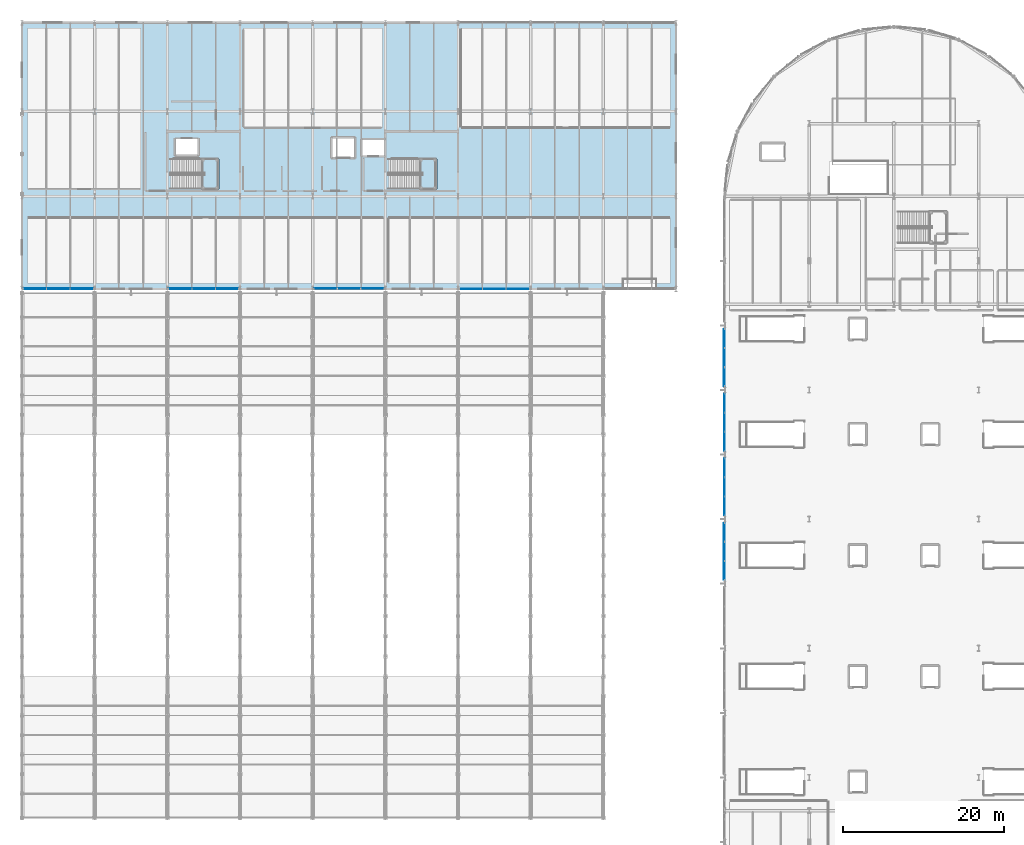
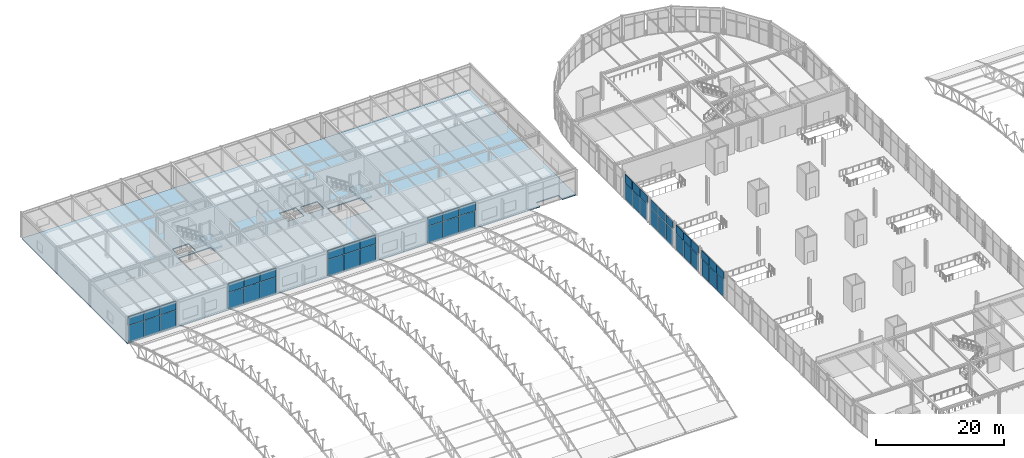
# One storey, part 98 of 195: 48 plates, 3 slabs, 10 elements without a shape of their own.
"""IFC4 building model written with IfcOpenShell, lengths in metres."""

from ifc_helpers import new_model, si_unit, direction, frame, origin, origin_2d, place, context, subcontext, project, spatial, polyline, rectangle, outline, extrude, material, layer, layer_set, type_object, element, aggregate, save


model = new_model("IFC4")

# Units and contexts
model_context = context("Model", 3, precision=1e-05, world=origin(), true_north=direction((0.0, 1.0)))
body_context = subcontext(model_context, "Body", "Model", "MODEL_VIEW")
ifc_project = project(units=[si_unit("LENGTHUNIT", "METRE"), si_unit("AREAUNIT", "SQUARE_METRE"), si_unit("VOLUMEUNIT", "CUBIC_METRE"), si_unit("PLANEANGLEUNIT", "RADIAN"), si_unit("MASSUNIT", "GRAM", prefix="KILO")], contexts=[model_context])

# Site, building, storey
site_placement = place(None, origin())
site = spatial("IfcSite", under=ifc_project, at=site_placement, CompositionType="ELEMENT")
building_placement = place(site_placement, origin())
building = spatial("IfcBuilding", under=site, at=building_placement, Name="Marlcrest Central Station", CompositionType="ELEMENT")
storey_placement = place(building_placement, frame((0.0, 0.0, 9.800048828125)))
storey = spatial("IfcBuildingStorey", under=building, at=storey_placement, Name="L02", CompositionType="ELEMENT", Elevation=9.800048828125)

# Curtain wall, plates
ifc_material_1 = material(Name="Anodised aluminium and hurricane laminated glass", Category="aluminium")
ifc_layer_1 = layer(ifc_material_1, 0.219970703125, Name="CW-U1")
ifc_layer_set_1 = layer_set([ifc_layer_1], Name="Anodised aluminium and hurricane laminated glass")
curtain_wall_type = type_object("IfcCurtainWallType", Name="CW-U1", PredefinedType="USERDEFINED", material=ifc_layer_set_1)
curtain_wall_1_placement = place(storey_placement, origin())
curtain_wall_1 = element("IfcCurtainWall", 1, at=curtain_wall_1_placement, inside=storey, type_object=curtain_wall_type, Name="cw-L02-0119", ObjectType="UNITISED_CURTAIN_WALL", PredefinedType="USERDEFINED")
ifc_material_2 = material(Name="Hurricane laminated solar-control glass", Category="glass")
ifc_layer_2 = layer(ifc_material_2, 0.031982421875, Name="CP-01")
ifc_layer_set_2 = layer_set([ifc_layer_2], Name="Hurricane laminated solar-control glass")
plate_type_1 = type_object("IfcPlateType", Name="CP-01", PredefinedType="CURTAIN_PANEL", material=ifc_layer_set_2)
plate_1_placement = place(storey_placement, frame((87.0, 64.13330078125, 0.080078125), z_axis=(0.0, 0.0, 1.0), x_axis=(0.0, 1.0, 0.0)))
plate_1 = element("IfcPlate", 2, at=plate_1_placement, type_object=plate_type_1, Name="cw-L02-0119-cp-lo-0", PredefinedType="CURTAIN_PANEL", context=body_context, shape_type="SweptSolid", body=[
    extrude(rectangle(XDim=2.290771484375, YDim=0.031982421875, at=origin_2d()), origin(), (0.0, 0.0, 1.0), 3.097900390625),
])
plate_2_placement = place(storey_placement, frame((87.0, 66.5, 0.080078125), z_axis=(0.0, 0.0, 1.0), x_axis=(0.0, 1.0, 0.0)))
plate_2 = element("IfcPlate", 3, at=plate_2_placement, type_object=plate_type_1, Name="cw-L02-0119-cp-lo-1", PredefinedType="CURTAIN_PANEL", context=body_context, shape_type="SweptSolid", body=[
    extrude(rectangle(XDim=2.290771484375, YDim=0.031982421875, at=origin_2d()), origin(), (0.0, 0.0, 1.0), 3.097900390625),
])
plate_3_placement = place(storey_placement, frame((87.0, 68.86669921875, 0.080078125), z_axis=(0.0, 0.0, 1.0), x_axis=(0.0, 1.0, 0.0)))
plate_3 = element("IfcPlate", 4, at=plate_3_placement, type_object=plate_type_1, Name="cw-L02-0119-cp-lo-2", PredefinedType="CURTAIN_PANEL", context=body_context, shape_type="SweptSolid", body=[
    extrude(rectangle(XDim=2.290771484375, YDim=0.031982421875, at=origin_2d()), origin(), (0.0, 0.0, 1.0), 3.097900390625),
])

curtain_wall_2_placement = place(storey_placement, origin())
curtain_wall_2 = element("IfcCurtainWall", 5, at=curtain_wall_2_placement, inside=storey, type_object=curtain_wall_type, Name="cw-L02-0123", ObjectType="UNITISED_CURTAIN_WALL", PredefinedType="USERDEFINED")
plate_4_placement = place(storey_placement, frame((87.0, 72.13330078125, 0.080078125), z_axis=(0.0, 0.0, 1.0), x_axis=(0.0, 1.0, 0.0)))
plate_4 = element("IfcPlate", 6, at=plate_4_placement, type_object=plate_type_1, Name="cw-L02-0123-cp-lo-0", PredefinedType="CURTAIN_PANEL", context=body_context, shape_type="SweptSolid", body=[
    extrude(rectangle(XDim=2.290771484375, YDim=0.031982421875, at=origin_2d()), origin(), (0.0, 0.0, 1.0), 3.097900390625),
])
plate_5_placement = place(storey_placement, frame((87.0, 74.5, 0.080078125), z_axis=(0.0, 0.0, 1.0), x_axis=(0.0, 1.0, 0.0)))
plate_5 = element("IfcPlate", 7, at=plate_5_placement, type_object=plate_type_1, Name="cw-L02-0123-cp-lo-1", PredefinedType="CURTAIN_PANEL", context=body_context, shape_type="SweptSolid", body=[
    extrude(rectangle(XDim=2.290771484375, YDim=0.031982421875, at=origin_2d()), origin(), (0.0, 0.0, 1.0), 3.097900390625),
])
plate_6_placement = place(storey_placement, frame((87.0, 76.86669921875, 0.080078125), z_axis=(0.0, 0.0, 1.0), x_axis=(0.0, 1.0, 0.0)))
plate_6 = element("IfcPlate", 8, at=plate_6_placement, type_object=plate_type_1, Name="cw-L02-0123-cp-lo-2", PredefinedType="CURTAIN_PANEL", context=body_context, shape_type="SweptSolid", body=[
    extrude(rectangle(XDim=2.290771484375, YDim=0.031982421875, at=origin_2d()), origin(), (0.0, 0.0, 1.0), 3.097900390625),
])

curtain_wall_3_placement = place(storey_placement, origin())
curtain_wall_3 = element("IfcCurtainWall", 9, at=curtain_wall_3_placement, inside=storey, type_object=curtain_wall_type, Name="cw-L02-0127", ObjectType="UNITISED_CURTAIN_WALL", PredefinedType="USERDEFINED")
plate_7_placement = place(storey_placement, frame((87.0, 80.13330078125, 0.080078125), z_axis=(0.0, 0.0, 1.0), x_axis=(0.0, 1.0, 0.0)))
plate_7 = element("IfcPlate", 10, at=plate_7_placement, type_object=plate_type_1, Name="cw-L02-0127-cp-lo-0", PredefinedType="CURTAIN_PANEL", context=body_context, shape_type="SweptSolid", body=[
    extrude(rectangle(XDim=2.290771484375, YDim=0.031982421875, at=origin_2d()), origin(), (0.0, 0.0, 1.0), 3.097900390625),
])
plate_8_placement = place(storey_placement, frame((87.0, 82.5, 0.080078125), z_axis=(0.0, 0.0, 1.0), x_axis=(0.0, 1.0, 0.0)))
plate_8 = element("IfcPlate", 11, at=plate_8_placement, type_object=plate_type_1, Name="cw-L02-0127-cp-lo-1", PredefinedType="CURTAIN_PANEL", context=body_context, shape_type="SweptSolid", body=[
    extrude(rectangle(XDim=2.290771484375, YDim=0.031982421875, at=origin_2d()), origin(), (0.0, 0.0, 1.0), 3.097900390625),
])
plate_9_placement = place(storey_placement, frame((87.0, 84.86669921875, 0.080078125), z_axis=(0.0, 0.0, 1.0), x_axis=(0.0, 1.0, 0.0)))
plate_9 = element("IfcPlate", 12, at=plate_9_placement, type_object=plate_type_1, Name="cw-L02-0127-cp-lo-2", PredefinedType="CURTAIN_PANEL", context=body_context, shape_type="SweptSolid", body=[
    extrude(rectangle(XDim=2.290771484375, YDim=0.031982421875, at=origin_2d()), origin(), (0.0, 0.0, 1.0), 3.097900390625),
])

curtain_wall_4_placement = place(storey_placement, origin())
curtain_wall_4 = element("IfcCurtainWall", 13, at=curtain_wall_4_placement, inside=storey, type_object=curtain_wall_type, Name="cw-L02-0131", ObjectType="UNITISED_CURTAIN_WALL", PredefinedType="USERDEFINED")
plate_10_placement = place(storey_placement, frame((87.0, 88.13330078125, 0.080078125), z_axis=(0.0, 0.0, 1.0), x_axis=(0.0, 1.0, 0.0)))
plate_10 = element("IfcPlate", 14, at=plate_10_placement, type_object=plate_type_1, Name="cw-L02-0131-cp-lo-0", PredefinedType="CURTAIN_PANEL", context=body_context, shape_type="SweptSolid", body=[
    extrude(rectangle(XDim=2.290771484375, YDim=0.031982421875, at=origin_2d()), origin(), (0.0, 0.0, 1.0), 3.097900390625),
])
plate_11_placement = place(storey_placement, frame((87.0, 90.5, 0.080078125), z_axis=(0.0, 0.0, 1.0), x_axis=(0.0, 1.0, 0.0)))
plate_11 = element("IfcPlate", 15, at=plate_11_placement, type_object=plate_type_1, Name="cw-L02-0131-cp-lo-1", PredefinedType="CURTAIN_PANEL", context=body_context, shape_type="SweptSolid", body=[
    extrude(rectangle(XDim=2.290771484375, YDim=0.031982421875, at=origin_2d()), origin(), (0.0, 0.0, 1.0), 3.097900390625),
])
plate_12_placement = place(storey_placement, frame((87.0, 92.86669921875, 0.080078125), z_axis=(0.0, 0.0, 1.0), x_axis=(0.0, 1.0, 0.0)))
plate_12 = element("IfcPlate", 16, at=plate_12_placement, type_object=plate_type_1, Name="cw-L02-0131-cp-lo-2", PredefinedType="CURTAIN_PANEL", context=body_context, shape_type="SweptSolid", body=[
    extrude(rectangle(XDim=2.290771484375, YDim=0.031982421875, at=origin_2d()), origin(), (0.0, 0.0, 1.0), 3.097900390625),
])

curtain_wall_5_placement = place(storey_placement, origin())
curtain_wall_5 = element("IfcCurtainWall", 17, at=curtain_wall_5_placement, inside=storey, type_object=curtain_wall_type, Name="cw-L02-0159", ObjectType="UNITISED_CURTAIN_WALL", PredefinedType="USERDEFINED")
ifc_material_3 = material(Name="Acoustic triple-glazed solar-control glass", Category="glass")
ifc_layer_3 = layer(ifc_material_3, 0.0439453125, Name="CP-03")
ifc_layer_set_3 = layer_set([ifc_layer_3], Name="Acoustic triple-glazed solar-control glass")
plate_type_2 = type_object("IfcPlateType", Name="CP-03", PredefinedType="CURTAIN_PANEL", material=ifc_layer_set_3)
plate_13_placement = place(storey_placement, frame((7.39990234375, 99.030029296875, 0.080078125), z_axis=(0.0, 0.0, 1.0), x_axis=(-1.0, 0.0, 0.0)))
plate_13 = element("IfcPlate", 18, at=plate_13_placement, type_object=plate_type_2, Name="cw-L02-0159-cp-lo-0", PredefinedType="CURTAIN_PANEL", context=body_context, shape_type="SweptSolid", body=[
    extrude(rectangle(XDim=2.823974609375, YDim=0.0439453125, at=origin_2d()), origin(), (0.0, 0.0, 1.0), 3.1298828125),
])
plate_14_placement = place(storey_placement, frame((4.5, 99.030029296875, 0.080078125), z_axis=(0.0, 0.0, 1.0), x_axis=(-1.0, 0.0, 0.0)))
plate_14 = element("IfcPlate", 19, at=plate_14_placement, type_object=plate_type_2, Name="cw-L02-0159-cp-lo-1", PredefinedType="CURTAIN_PANEL", context=body_context, shape_type="SweptSolid", body=[
    extrude(rectangle(XDim=2.823974609375, YDim=0.0439453125, at=origin_2d()), origin(), (0.0, 0.0, 1.0), 3.1298828125),
])
plate_15_placement = place(storey_placement, frame((1.60009765625, 99.030029296875, 0.080078125), z_axis=(0.0, 0.0, 1.0), x_axis=(-1.0, 0.0, 0.0)))
plate_15 = element("IfcPlate", 20, at=plate_15_placement, type_object=plate_type_2, Name="cw-L02-0159-cp-lo-2", PredefinedType="CURTAIN_PANEL", context=body_context, shape_type="SweptSolid", body=[
    extrude(rectangle(XDim=2.823974609375, YDim=0.0439453125, at=origin_2d()), origin(), (0.0, 0.0, 1.0), 3.1298828125),
])

curtain_wall_6_placement = place(storey_placement, origin())
curtain_wall_6 = element("IfcCurtainWall", 21, at=curtain_wall_6_placement, inside=storey, type_object=curtain_wall_type, Name="cw-L02-0160", ObjectType="UNITISED_CURTAIN_WALL", PredefinedType="USERDEFINED")
plate_16_placement = place(storey_placement, frame((25.39990234375, 99.030029296875, 0.080078125), z_axis=(0.0, 0.0, 1.0), x_axis=(-1.0, 0.0, 0.0)))
plate_16 = element("IfcPlate", 22, at=plate_16_placement, type_object=plate_type_2, Name="cw-L02-0160-cp-lo-0", PredefinedType="CURTAIN_PANEL", context=body_context, shape_type="SweptSolid", body=[
    extrude(rectangle(XDim=2.823974609375, YDim=0.0439453125, at=origin_2d()), origin(), (0.0, 0.0, 1.0), 3.1298828125),
])
plate_17_placement = place(storey_placement, frame((22.5, 99.030029296875, 0.080078125), z_axis=(0.0, 0.0, 1.0), x_axis=(-1.0, 0.0, 0.0)))
plate_17 = element("IfcPlate", 23, at=plate_17_placement, type_object=plate_type_2, Name="cw-L02-0160-cp-lo-1", PredefinedType="CURTAIN_PANEL", context=body_context, shape_type="SweptSolid", body=[
    extrude(rectangle(XDim=2.823974609375, YDim=0.0439453125, at=origin_2d()), origin(), (0.0, 0.0, 1.0), 3.1298828125),
])
plate_18_placement = place(storey_placement, frame((19.60009765625, 99.030029296875, 0.080078125), z_axis=(0.0, 0.0, 1.0), x_axis=(-1.0, 0.0, 0.0)))
plate_18 = element("IfcPlate", 24, at=plate_18_placement, type_object=plate_type_2, Name="cw-L02-0160-cp-lo-2", PredefinedType="CURTAIN_PANEL", context=body_context, shape_type="SweptSolid", body=[
    extrude(rectangle(XDim=2.823974609375, YDim=0.0439453125, at=origin_2d()), origin(), (0.0, 0.0, 1.0), 3.1298828125),
])

curtain_wall_7_placement = place(storey_placement, origin())
curtain_wall_7 = element("IfcCurtainWall", 25, at=curtain_wall_7_placement, inside=storey, type_object=curtain_wall_type, Name="cw-L02-0161", ObjectType="UNITISED_CURTAIN_WALL", PredefinedType="USERDEFINED")
plate_19_placement = place(storey_placement, frame((43.39990234375, 99.030029296875, 0.080078125), z_axis=(0.0, 0.0, 1.0), x_axis=(-1.0, 0.0, 0.0)))
plate_19 = element("IfcPlate", 26, at=plate_19_placement, type_object=plate_type_2, Name="cw-L02-0161-cp-lo-0", PredefinedType="CURTAIN_PANEL", context=body_context, shape_type="SweptSolid", body=[
    extrude(rectangle(XDim=2.823974609375, YDim=0.0439453125, at=origin_2d()), origin(), (0.0, 0.0, 1.0), 3.1298828125),
])
plate_20_placement = place(storey_placement, frame((40.5, 99.030029296875, 0.080078125), z_axis=(0.0, 0.0, 1.0), x_axis=(-1.0, 0.0, 0.0)))
plate_20 = element("IfcPlate", 27, at=plate_20_placement, type_object=plate_type_2, Name="cw-L02-0161-cp-lo-1", PredefinedType="CURTAIN_PANEL", context=body_context, shape_type="SweptSolid", body=[
    extrude(rectangle(XDim=2.823974609375, YDim=0.0439453125, at=origin_2d()), origin(), (0.0, 0.0, 1.0), 3.1298828125),
])
plate_21_placement = place(storey_placement, frame((37.60009765625, 99.030029296875, 0.080078125), z_axis=(0.0, 0.0, 1.0), x_axis=(-1.0, 0.0, 0.0)))
plate_21 = element("IfcPlate", 28, at=plate_21_placement, type_object=plate_type_2, Name="cw-L02-0161-cp-lo-2", PredefinedType="CURTAIN_PANEL", context=body_context, shape_type="SweptSolid", body=[
    extrude(rectangle(XDim=2.823974609375, YDim=0.0439453125, at=origin_2d()), origin(), (0.0, 0.0, 1.0), 3.1298828125),
])

curtain_wall_8_placement = place(storey_placement, origin())
curtain_wall_8 = element("IfcCurtainWall", 29, at=curtain_wall_8_placement, inside=storey, type_object=curtain_wall_type, Name="cw-L02-0162", ObjectType="UNITISED_CURTAIN_WALL", PredefinedType="USERDEFINED")
plate_22_placement = place(storey_placement, frame((61.39990234375, 99.030029296875, 0.080078125), z_axis=(0.0, 0.0, 1.0), x_axis=(-1.0, 0.0, 0.0)))
plate_22 = element("IfcPlate", 30, at=plate_22_placement, type_object=plate_type_2, Name="cw-L02-0162-cp-lo-0", PredefinedType="CURTAIN_PANEL", context=body_context, shape_type="SweptSolid", body=[
    extrude(rectangle(XDim=2.823974609375, YDim=0.0439453125, at=origin_2d()), origin(), (0.0, 0.0, 1.0), 3.1298828125),
])
plate_23_placement = place(storey_placement, frame((58.5, 99.030029296875, 0.080078125), z_axis=(0.0, 0.0, 1.0), x_axis=(-1.0, 0.0, 0.0)))
plate_23 = element("IfcPlate", 31, at=plate_23_placement, type_object=plate_type_2, Name="cw-L02-0162-cp-lo-1", PredefinedType="CURTAIN_PANEL", context=body_context, shape_type="SweptSolid", body=[
    extrude(rectangle(XDim=2.823974609375, YDim=0.0439453125, at=origin_2d()), origin(), (0.0, 0.0, 1.0), 3.1298828125),
])
plate_24_placement = place(storey_placement, frame((55.60009765625, 99.030029296875, 0.080078125), z_axis=(0.0, 0.0, 1.0), x_axis=(-1.0, 0.0, 0.0)))
plate_24 = element("IfcPlate", 32, at=plate_24_placement, type_object=plate_type_2, Name="cw-L02-0162-cp-lo-2", PredefinedType="CURTAIN_PANEL", context=body_context, shape_type="SweptSolid", body=[
    extrude(rectangle(XDim=2.823974609375, YDim=0.0439453125, at=origin_2d()), origin(), (0.0, 0.0, 1.0), 3.1298828125),
])
ifc_material_4 = material(Name="Insulated bronze-anodised aluminium spandrel panel", Category="aluminium")
ifc_layer_4 = layer(ifc_material_4, 0.06005859375, Name="CP-04")
ifc_layer_set_4 = layer_set([ifc_layer_4], Name="Insulated bronze-anodised aluminium spandrel panel")
plate_type_3 = type_object("IfcPlateType", Name="CP-04", PredefinedType="CURTAIN_PANEL", material=ifc_layer_set_4)
plate_25_placement = place(storey_placement, frame((61.39990234375, 99.030029296875, 3.2900390625), z_axis=(0.0, 0.0, 1.0), x_axis=(-1.0, 0.0, 0.0)))
plate_25 = element("IfcPlate", 33, at=plate_25_placement, type_object=plate_type_3, Name="cw-L02-0162-cp-hi-0", PredefinedType="CURTAIN_PANEL", context=body_context, shape_type="SweptSolid", body=[
    extrude(rectangle(XDim=2.823974609375, YDim=0.06005859375, at=origin_2d()), origin(), (0.0, 0.0, 1.0), 1.6298828125),
])
plate_26_placement = place(storey_placement, frame((58.5, 99.030029296875, 3.2900390625), z_axis=(0.0, 0.0, 1.0), x_axis=(-1.0, 0.0, 0.0)))
plate_26 = element("IfcPlate", 34, at=plate_26_placement, type_object=plate_type_3, Name="cw-L02-0162-cp-hi-1", PredefinedType="CURTAIN_PANEL", context=body_context, shape_type="SweptSolid", body=[
    extrude(rectangle(XDim=2.823974609375, YDim=0.06005859375, at=origin_2d()), origin(), (0.0, 0.0, 1.0), 1.6298828125),
])
plate_27_placement = place(storey_placement, frame((55.60009765625, 99.030029296875, 3.2900390625), z_axis=(0.0, 0.0, 1.0), x_axis=(-1.0, 0.0, 0.0)))
plate_27 = element("IfcPlate", 35, at=plate_27_placement, type_object=plate_type_3, Name="cw-L02-0162-cp-hi-2", PredefinedType="CURTAIN_PANEL", context=body_context, shape_type="SweptSolid", body=[
    extrude(rectangle(XDim=2.823974609375, YDim=0.06005859375, at=origin_2d()), origin(), (0.0, 0.0, 1.0), 1.6298828125),
])
aggregate(curtain_wall_8, [plate_22, plate_25, plate_23, plate_26, plate_24, plate_27])

# Plate
ifc_layer_5 = layer(ifc_material_4, 0.050048828125, Name="CP-05")
ifc_layer_set_5 = layer_set([ifc_layer_5], Name="Insulated bronze-anodised aluminium spandrel panel")
plate_type_4 = type_object("IfcPlateType", Name="CP-05", PredefinedType="CURTAIN_PANEL", material=ifc_layer_set_5)
plate_28_placement = place(storey_placement, frame((87.0, 80.13330078125, 3.2578125), z_axis=(0.0, 0.0, 1.0), x_axis=(0.0, 1.0, 0.0)))
plate_28 = element("IfcPlate", 36, at=plate_28_placement, type_object=plate_type_4, Name="cw-L02-0127-cp-hi-0", PredefinedType="CURTAIN_PANEL", context=body_context, shape_type="SweptSolid", body=[
    extrude(rectangle(XDim=2.290771484375, YDim=0.050048828125, at=origin_2d()), origin(), (0.0, 0.0, 1.0), 1.612060546875),
])

plate_29_placement = place(storey_placement, frame((87.0, 82.5, 3.2578125), z_axis=(0.0, 0.0, 1.0), x_axis=(0.0, 1.0, 0.0)))
plate_29 = element("IfcPlate", 37, at=plate_29_placement, type_object=plate_type_4, Name="cw-L02-0127-cp-hi-1", PredefinedType="CURTAIN_PANEL", context=body_context, shape_type="SweptSolid", body=[
    extrude(rectangle(XDim=2.290771484375, YDim=0.050048828125, at=origin_2d()), origin(), (0.0, 0.0, 1.0), 1.612060546875),
])

plate_30_placement = place(storey_placement, frame((87.0, 84.86669921875, 3.2578125), z_axis=(0.0, 0.0, 1.0), x_axis=(0.0, 1.0, 0.0)))
plate_30 = element("IfcPlate", 38, at=plate_30_placement, type_object=plate_type_4, Name="cw-L02-0127-cp-hi-2", PredefinedType="CURTAIN_PANEL", context=body_context, shape_type="SweptSolid", body=[
    extrude(rectangle(XDim=2.290771484375, YDim=0.050048828125, at=origin_2d()), origin(), (0.0, 0.0, 1.0), 1.612060546875),
])

aggregate(curtain_wall_3, [plate_7, plate_28, plate_8, plate_29, plate_9, plate_30])

ifc_material_5 = material(Name="Insulated hurricane-rated spandrel panel")
ifc_layer_6 = layer(ifc_material_5, 0.090087890625, Name="CP-07")
ifc_layer_set_6 = layer_set([ifc_layer_6], Name="Insulated hurricane-rated spandrel panel")
plate_type_5 = type_object("IfcPlateType", Name="CP-07", PredefinedType="CURTAIN_PANEL", material=ifc_layer_set_6)
plate_31_placement = place(storey_placement, frame((87.0, 72.13330078125, 3.2578125), z_axis=(0.0, 0.0, 1.0), x_axis=(0.0, 1.0, 0.0)))
plate_31 = element("IfcPlate", 39, at=plate_31_placement, type_object=plate_type_5, Name="cw-L02-0123-cp-hi-0", PredefinedType="CURTAIN_PANEL", context=body_context, shape_type="SweptSolid", body=[
    extrude(rectangle(XDim=2.290771484375, YDim=0.090087890625, at=origin_2d()), origin(), (0.0, 0.0, 1.0), 1.612060546875),
])

plate_32_placement = place(storey_placement, frame((87.0, 74.5, 3.2578125), z_axis=(0.0, 0.0, 1.0), x_axis=(0.0, 1.0, 0.0)))
plate_32 = element("IfcPlate", 40, at=plate_32_placement, type_object=plate_type_5, Name="cw-L02-0123-cp-hi-1", PredefinedType="CURTAIN_PANEL", context=body_context, shape_type="SweptSolid", body=[
    extrude(rectangle(XDim=2.290771484375, YDim=0.090087890625, at=origin_2d()), origin(), (0.0, 0.0, 1.0), 1.612060546875),
])

plate_33_placement = place(storey_placement, frame((87.0, 76.86669921875, 3.2578125), z_axis=(0.0, 0.0, 1.0), x_axis=(0.0, 1.0, 0.0)))
plate_33 = element("IfcPlate", 41, at=plate_33_placement, type_object=plate_type_5, Name="cw-L02-0123-cp-hi-2", PredefinedType="CURTAIN_PANEL", context=body_context, shape_type="SweptSolid", body=[
    extrude(rectangle(XDim=2.290771484375, YDim=0.090087890625, at=origin_2d()), origin(), (0.0, 0.0, 1.0), 1.612060546875),
])

aggregate(curtain_wall_2, [plate_4, plate_31, plate_5, plate_32, plate_6, plate_33])

plate_34_placement = place(storey_placement, frame((7.39990234375, 99.030029296875, 3.2900390625), z_axis=(0.0, 0.0, 1.0), x_axis=(-1.0, 0.0, 0.0)))
plate_34 = element("IfcPlate", 42, at=plate_34_placement, type_object=plate_type_5, Name="cw-L02-0159-cp-hi-0", PredefinedType="CURTAIN_PANEL", context=body_context, shape_type="SweptSolid", body=[
    extrude(rectangle(XDim=2.823974609375, YDim=0.090087890625, at=origin_2d()), origin(), (0.0, 0.0, 1.0), 1.6298828125),
])

plate_35_placement = place(storey_placement, frame((4.5, 99.030029296875, 3.2900390625), z_axis=(0.0, 0.0, 1.0), x_axis=(-1.0, 0.0, 0.0)))
plate_35 = element("IfcPlate", 43, at=plate_35_placement, type_object=plate_type_5, Name="cw-L02-0159-cp-hi-1", PredefinedType="CURTAIN_PANEL", context=body_context, shape_type="SweptSolid", body=[
    extrude(rectangle(XDim=2.823974609375, YDim=0.090087890625, at=origin_2d()), origin(), (0.0, 0.0, 1.0), 1.6298828125),
])

plate_36_placement = place(storey_placement, frame((1.60009765625, 99.030029296875, 3.2900390625), z_axis=(0.0, 0.0, 1.0), x_axis=(-1.0, 0.0, 0.0)))
plate_36 = element("IfcPlate", 44, at=plate_36_placement, type_object=plate_type_5, Name="cw-L02-0159-cp-hi-2", PredefinedType="CURTAIN_PANEL", context=body_context, shape_type="SweptSolid", body=[
    extrude(rectangle(XDim=2.823974609375, YDim=0.090087890625, at=origin_2d()), origin(), (0.0, 0.0, 1.0), 1.6298828125),
])

aggregate(curtain_wall_5, [plate_13, plate_34, plate_14, plate_35, plate_15, plate_36])

ifc_material_6 = material(Name="Insulated shadow-box spandrel panel")
ifc_layer_7 = layer(ifc_material_6, 0.10498046875, Name="CP-08")
ifc_layer_set_7 = layer_set([ifc_layer_7], Name="Insulated shadow-box spandrel panel")
plate_type_6 = type_object("IfcPlateType", Name="CP-08", PredefinedType="CURTAIN_PANEL", material=ifc_layer_set_7)
plate_37_placement = place(storey_placement, frame((25.39990234375, 99.030029296875, 3.2900390625), z_axis=(0.0, 0.0, 1.0), x_axis=(-1.0, 0.0, 0.0)))
plate_37 = element("IfcPlate", 45, at=plate_37_placement, type_object=plate_type_6, Name="cw-L02-0160-cp-hi-0", PredefinedType="CURTAIN_PANEL", context=body_context, shape_type="SweptSolid", body=[
    extrude(rectangle(XDim=2.823974609375, YDim=0.10498046875, at=origin_2d()), origin(), (0.0, 0.0, 1.0), 1.6298828125),
])

plate_38_placement = place(storey_placement, frame((22.5, 99.030029296875, 3.2900390625), z_axis=(0.0, 0.0, 1.0), x_axis=(-1.0, 0.0, 0.0)))
plate_38 = element("IfcPlate", 46, at=plate_38_placement, type_object=plate_type_6, Name="cw-L02-0160-cp-hi-1", PredefinedType="CURTAIN_PANEL", context=body_context, shape_type="SweptSolid", body=[
    extrude(rectangle(XDim=2.823974609375, YDim=0.10498046875, at=origin_2d()), origin(), (0.0, 0.0, 1.0), 1.6298828125),
])

plate_39_placement = place(storey_placement, frame((19.60009765625, 99.030029296875, 3.2900390625), z_axis=(0.0, 0.0, 1.0), x_axis=(-1.0, 0.0, 0.0)))
plate_39 = element("IfcPlate", 47, at=plate_39_placement, type_object=plate_type_6, Name="cw-L02-0160-cp-hi-2", PredefinedType="CURTAIN_PANEL", context=body_context, shape_type="SweptSolid", body=[
    extrude(rectangle(XDim=2.823974609375, YDim=0.10498046875, at=origin_2d()), origin(), (0.0, 0.0, 1.0), 1.6298828125),
])

aggregate(curtain_wall_6, [plate_16, plate_37, plate_17, plate_38, plate_18, plate_39])

ifc_material_7 = material(Name="Insulated fire-safing spandrel panel")
ifc_layer_8 = layer(ifc_material_7, 0.1201171875, Name="CP-09")
ifc_layer_set_8 = layer_set([ifc_layer_8], Name="Insulated fire-safing spandrel panel")
plate_type_7 = type_object("IfcPlateType", Name="CP-09", PredefinedType="CURTAIN_PANEL", material=ifc_layer_set_8)
plate_40_placement = place(storey_placement, frame((87.0, 64.13330078125, 3.2578125), z_axis=(0.0, 0.0, 1.0), x_axis=(0.0, 1.0, 0.0)))
plate_40 = element("IfcPlate", 48, at=plate_40_placement, type_object=plate_type_7, Name="cw-L02-0119-cp-hi-0", PredefinedType="CURTAIN_PANEL", context=body_context, shape_type="SweptSolid", body=[
    extrude(rectangle(XDim=2.290771484375, YDim=0.1201171875, at=origin_2d()), origin(), (0.0, 0.0, 1.0), 1.612060546875),
])

plate_41_placement = place(storey_placement, frame((87.0, 66.5, 3.2578125), z_axis=(0.0, 0.0, 1.0), x_axis=(0.0, 1.0, 0.0)))
plate_41 = element("IfcPlate", 49, at=plate_41_placement, type_object=plate_type_7, Name="cw-L02-0119-cp-hi-1", PredefinedType="CURTAIN_PANEL", context=body_context, shape_type="SweptSolid", body=[
    extrude(rectangle(XDim=2.290771484375, YDim=0.1201171875, at=origin_2d()), origin(), (0.0, 0.0, 1.0), 1.612060546875),
])

plate_42_placement = place(storey_placement, frame((87.0, 68.86669921875, 3.2578125), z_axis=(0.0, 0.0, 1.0), x_axis=(0.0, 1.0, 0.0)))
plate_42 = element("IfcPlate", 50, at=plate_42_placement, type_object=plate_type_7, Name="cw-L02-0119-cp-hi-2", PredefinedType="CURTAIN_PANEL", context=body_context, shape_type="SweptSolid", body=[
    extrude(rectangle(XDim=2.290771484375, YDim=0.1201171875, at=origin_2d()), origin(), (0.0, 0.0, 1.0), 1.612060546875),
])

aggregate(curtain_wall_1, [plate_1, plate_40, plate_2, plate_41, plate_3, plate_42])

plate_43_placement = place(storey_placement, frame((87.0, 88.13330078125, 3.2578125), z_axis=(0.0, 0.0, 1.0), x_axis=(0.0, 1.0, 0.0)))
plate_43 = element("IfcPlate", 51, at=plate_43_placement, type_object=plate_type_7, Name="cw-L02-0131-cp-hi-0", PredefinedType="CURTAIN_PANEL", context=body_context, shape_type="SweptSolid", body=[
    extrude(rectangle(XDim=2.290771484375, YDim=0.1201171875, at=origin_2d()), origin(), (0.0, 0.0, 1.0), 1.612060546875),
])

plate_44_placement = place(storey_placement, frame((87.0, 90.5, 3.2578125), z_axis=(0.0, 0.0, 1.0), x_axis=(0.0, 1.0, 0.0)))
plate_44 = element("IfcPlate", 52, at=plate_44_placement, type_object=plate_type_7, Name="cw-L02-0131-cp-hi-1", PredefinedType="CURTAIN_PANEL", context=body_context, shape_type="SweptSolid", body=[
    extrude(rectangle(XDim=2.290771484375, YDim=0.1201171875, at=origin_2d()), origin(), (0.0, 0.0, 1.0), 1.612060546875),
])

plate_45_placement = place(storey_placement, frame((87.0, 92.86669921875, 3.2578125), z_axis=(0.0, 0.0, 1.0), x_axis=(0.0, 1.0, 0.0)))
plate_45 = element("IfcPlate", 53, at=plate_45_placement, type_object=plate_type_7, Name="cw-L02-0131-cp-hi-2", PredefinedType="CURTAIN_PANEL", context=body_context, shape_type="SweptSolid", body=[
    extrude(rectangle(XDim=2.290771484375, YDim=0.1201171875, at=origin_2d()), origin(), (0.0, 0.0, 1.0), 1.612060546875),
])

aggregate(curtain_wall_4, [plate_10, plate_43, plate_11, plate_44, plate_12, plate_45])

plate_46_placement = place(storey_placement, frame((43.39990234375, 99.030029296875, 3.2900390625), z_axis=(0.0, 0.0, 1.0), x_axis=(-1.0, 0.0, 0.0)))
plate_46 = element("IfcPlate", 54, at=plate_46_placement, type_object=plate_type_7, Name="cw-L02-0161-cp-hi-0", PredefinedType="CURTAIN_PANEL", context=body_context, shape_type="SweptSolid", body=[
    extrude(rectangle(XDim=2.823974609375, YDim=0.1201171875, at=origin_2d()), origin(), (0.0, 0.0, 1.0), 1.6298828125),
])

plate_47_placement = place(storey_placement, frame((40.5, 99.030029296875, 3.2900390625), z_axis=(0.0, 0.0, 1.0), x_axis=(-1.0, 0.0, 0.0)))
plate_47 = element("IfcPlate", 55, at=plate_47_placement, type_object=plate_type_7, Name="cw-L02-0161-cp-hi-1", PredefinedType="CURTAIN_PANEL", context=body_context, shape_type="SweptSolid", body=[
    extrude(rectangle(XDim=2.823974609375, YDim=0.1201171875, at=origin_2d()), origin(), (0.0, 0.0, 1.0), 1.6298828125),
])

plate_48_placement = place(storey_placement, frame((37.60009765625, 99.030029296875, 3.2900390625), z_axis=(0.0, 0.0, 1.0), x_axis=(-1.0, 0.0, 0.0)))
plate_48 = element("IfcPlate", 56, at=plate_48_placement, type_object=plate_type_7, Name="cw-L02-0161-cp-hi-2", PredefinedType="CURTAIN_PANEL", context=body_context, shape_type="SweptSolid", body=[
    extrude(rectangle(XDim=2.823974609375, YDim=0.1201171875, at=origin_2d()), origin(), (0.0, 0.0, 1.0), 1.6298828125),
])

aggregate(curtain_wall_7, [plate_19, plate_46, plate_20, plate_47, plate_21, plate_48])

# Slab
ifc_material_8 = material(Name="Concrete C35/45", Category="concrete")
ifc_layer_9 = layer(ifc_material_8, 0.179931640625, Name="FS-01")
ifc_layer_set_9 = layer_set([ifc_layer_9], Name="Concrete C35/45")
slab_type_1 = type_object("IfcSlabType", Name="FS-01", PredefinedType="FLOOR", material=ifc_layer_set_9)
slab_1_placement = place(storey_placement, frame((0.0, 0.0, -0.179931640625)))
element("IfcSlab", 57, at=slab_1_placement, inside=storey, type_object=slab_type_1, Name="slab-L02-0004", PredefinedType="FLOOR", context=body_context, shape_type="SweptSolid", body=[
    extrude(outline(polyline([(0.0, 99.0), (74.5, 99.0), (74.5, 100.199951171875), (78.5, 100.199951171875), (78.5, 99.0), (81.0, 99.0), (81.0, 132.0), (0.0, 132.0), (0.0, 99.0)]), holes=[polyline([(18.449951171875, 111.39990234375), (24.39990234375, 111.39990234375), (24.39990234375, 115.10009765625), (18.449951171875, 115.10009765625), (18.449951171875, 111.39990234375)]), polyline([(18.919921875, 115.52001953125), (21.8798828125, 115.52001953125), (21.8798828125, 117.679931640625), (18.919921875, 117.679931640625), (18.919921875, 115.52001953125)]), polyline([(45.449951171875, 111.39990234375), (51.39990234375, 111.39990234375), (51.39990234375, 115.10009765625), (45.449951171875, 115.10009765625), (45.449951171875, 111.39990234375)]), polyline([(42.02001953125, 115.419921875), (44.97998046875, 115.419921875), (44.97998046875, 117.580078125), (42.02001953125, 117.580078125), (42.02001953125, 115.419921875)]), polyline([(38.320068359375, 115.219970703125), (41.280029296875, 115.219970703125), (41.280029296875, 117.780029296875), (38.320068359375, 117.780029296875), (38.320068359375, 115.219970703125)])]), origin(), (0.0, 0.0, 1.0), 0.179931640625),
])

# Stair, slab
stair_type = type_object("IfcStairType", Name="ST-HTS", PredefinedType="HALF_TURN_STAIR", material=ifc_material_8)
stair_1_placement = place(storey_placement, origin())
stair_1 = element("IfcStair", 58, at=stair_1_placement, inside=storey, type_object=stair_type, Name="ST-W12", PredefinedType="HALF_TURN_STAIR")
ifc_layer_10 = layer(ifc_material_8, 0.320068359375, Name="LS-01")
ifc_layer_set_10 = layer_set([ifc_layer_10], Name="Concrete C35/45")
slab_type_2 = type_object("IfcSlabType", Name="LS-01", PredefinedType="LANDING", material=ifc_layer_set_10)
slab_2_placement = place(storey_placement, frame((0.0, 0.0, 2.280029296875)))
slab_2 = element("IfcSlab", 59, at=slab_2_placement, type_object=slab_type_2, Name="ST-W12-L1", PredefinedType="LANDING", context=body_context, shape_type="SweptSolid", body=[
    extrude(outline(polyline([(22.280029296875, 111.3701171875), (24.280029296875, 111.3701171875), (24.280029296875, 115.1298828125), (22.280029296875, 115.1298828125), (22.280029296875, 113.31005859375), (22.530029296875, 113.31005859375), (22.530029296875, 113.18994140625), (22.280029296875, 113.18994140625), (22.280029296875, 111.3701171875)])), origin(), (0.0, 0.0, 1.0), 0.31982421875),
])
aggregate(stair_1, [slab_2])

stair_2_placement = place(storey_placement, origin())
stair_2 = element("IfcStair", 60, at=stair_2_placement, inside=storey, type_object=stair_type, Name="ST-W22", PredefinedType="HALF_TURN_STAIR")
slab_3_placement = place(storey_placement, frame((0.0, 0.0, 2.280029296875)))
slab_3 = element("IfcSlab", 61, at=slab_3_placement, type_object=slab_type_2, Name="ST-W22-L1", PredefinedType="LANDING", context=body_context, shape_type="SweptSolid", body=[
    extrude(outline(polyline([(49.280029296875, 111.3701171875), (51.280029296875, 111.3701171875), (51.280029296875, 115.1298828125), (49.280029296875, 115.1298828125), (49.280029296875, 113.31005859375), (49.530029296875, 113.31005859375), (49.530029296875, 113.18994140625), (49.280029296875, 113.18994140625), (49.280029296875, 111.3701171875)])), origin(), (0.0, 0.0, 1.0), 0.31982421875),
])
aggregate(stair_2, [slab_3])

save(model, "model.ifc")
